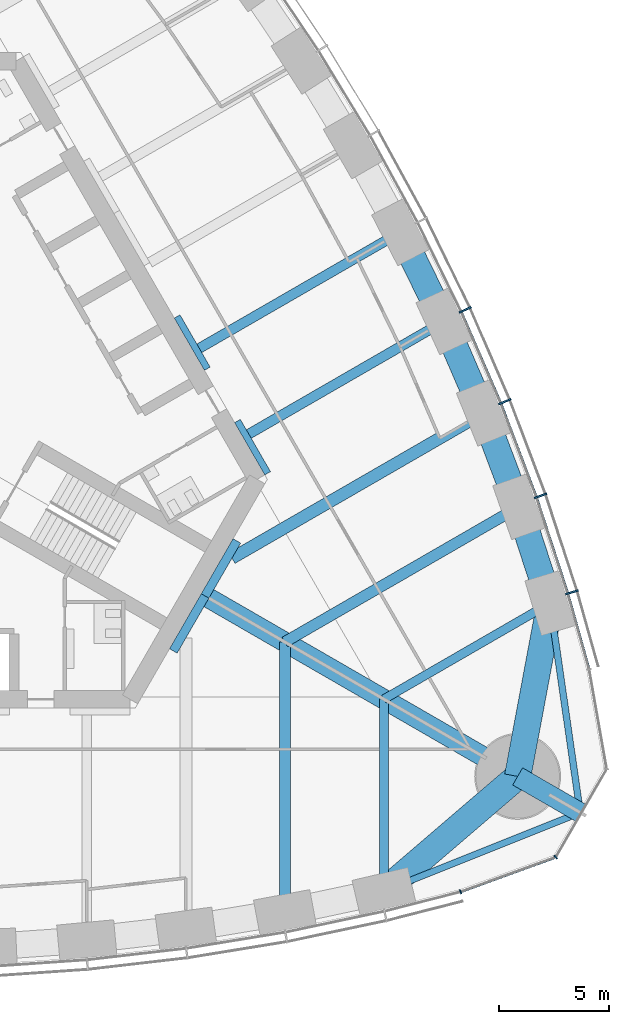
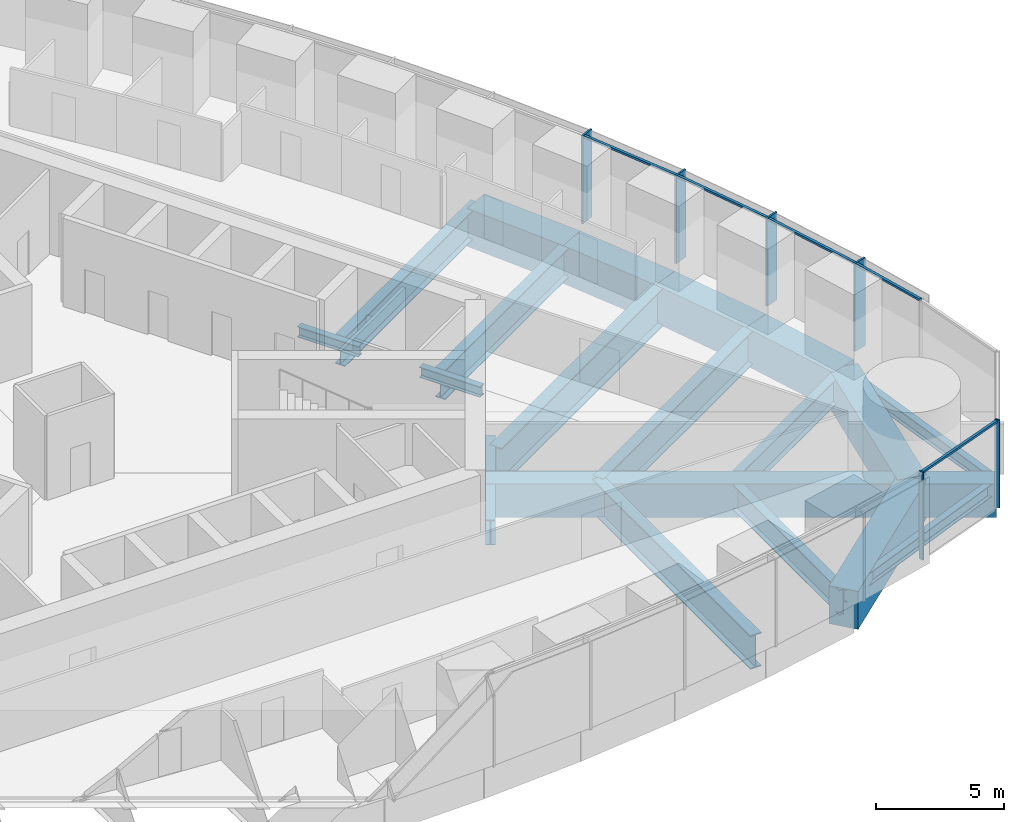
# One storey, part 4 of 19: 21 beams, 11 members, 2 elements without a shape of their own.
"""IFC4 building model written with IfcOpenShell, lengths in metres."""

from ifc_helpers import new_model, si_unit, direction, frame, origin, origin_2d, place, context, subcontext, project, spatial, rectangle, i_section, extrude, material, material_profile, profile_set, type_object, element, aggregate, save


model = new_model("IFC4")

# Units and contexts
model_context = context("Model", 3, precision=1e-05, world=origin(), true_north=direction((0.0, 1.0)))
body_context = subcontext(model_context, "Body", "Model", "MODEL_VIEW")
ifc_project = project(units=[si_unit("LENGTHUNIT", "METRE"), si_unit("AREAUNIT", "SQUARE_METRE"), si_unit("VOLUMEUNIT", "CUBIC_METRE"), si_unit("PLANEANGLEUNIT", "RADIAN"), si_unit("MASSUNIT", "GRAM", prefix="KILO")], contexts=[model_context])

# Site, building, storey
site_placement = place(None, origin())
site = spatial("IfcSite", under=ifc_project, at=site_placement, CompositionType="ELEMENT")
building_placement = place(site_placement, origin())
building = spatial("IfcBuilding", under=site, at=building_placement, Name="Trefoil Bronze Tower", CompositionType="ELEMENT")
storey_placement = place(building_placement, frame((0.0, 0.0, 189.699951171875)))
storey = spatial("IfcBuildingStorey", under=building, at=storey_placement, Name="L43", CompositionType="ELEMENT", Elevation=189.699951171875)

# Curtain wall, members
ifc_material_1 = material(Name="Tinted solar-control glass", Category="glass")
curtain_wall_type_1 = type_object("IfcCurtainWallType", Name="Bronze office curtain wall", PredefinedType="USERDEFINED", material=ifc_material_1)
curtain_wall_1_placement = place(storey_placement, origin())
curtain_wall_1 = element("IfcCurtainWall", 1, at=curtain_wall_1_placement, inside=storey, type_object=curtain_wall_type_1, Name="CW-A L43 F2", ObjectType="CURTAIN WALL", PredefinedType="USERDEFINED")
ifc_material_2 = material(Name="Bronze-finish aluminium", Category="aluminium")
ifc_material_profile_1 = material_profile(ifc_material_2, rectangle(XDim=0.60009765625, YDim=0.080078125, at=origin_2d()), Name="CW-A mullion")
ifc_profile_set_1 = profile_set([ifc_material_profile_1], Name="Bronze-finish aluminium")
member_type_1 = type_object("IfcMemberType", Name="Bronze office curtain wall mullion", PredefinedType="MULLION", material=ifc_profile_set_1)
member_1_placement = place(storey_placement, frame((31.05029296875, -8.132568359375, 0.0), z_axis=(0.0, 0.0, 1.0), x_axis=(-0.95694224323, -0.290278389002, 0.0)))
member_1 = element("IfcMember", 2, at=member_1_placement, type_object=member_type_1, Name="CW-A L43 F2 mullion 2", PredefinedType="MULLION", context=body_context, shape_type="SweptSolid", body=[
    extrude(rectangle(XDim=0.60009765625, YDim=0.080078125, at=origin_2d()), origin(), (0.0, 0.0, 1.0), 4.179931640625),
])
member_2_placement = place(storey_placement, frame((29.619873046875, -3.747314453125, 0.0), z_axis=(0.0, 0.0, 1.0), x_axis=(-0.943180077746, -0.332282020191, 0.0)))
member_2 = element("IfcMember", 3, at=member_2_placement, type_object=member_type_1, Name="CW-A L43 F2 mullion 3", PredefinedType="MULLION", context=body_context, shape_type="SweptSolid", body=[
    extrude(rectangle(XDim=0.60009765625, YDim=0.080078125, at=origin_2d()), origin(), (0.0, 0.0, 1.0), 4.179931640625),
])
member_3_placement = place(storey_placement, frame((27.999755859375, 0.529541015625, 0.0), z_axis=(0.0, 0.0, 1.0), x_axis=(-0.926689348282, -0.375828221106, 0.0)))
member_3 = element("IfcMember", 4, at=member_3_placement, type_object=member_type_1, Name="CW-A L43 F2 mullion 4", PredefinedType="MULLION", context=body_context, shape_type="SweptSolid", body=[
    extrude(rectangle(XDim=0.60009765625, YDim=0.080078125, at=origin_2d()), origin(), (0.0, 0.0, 1.0), 4.179931640625),
])
member_4_placement = place(storey_placement, frame((26.19482421875, 4.699462890625, 0.0), z_axis=(0.0, 0.0, 1.0), x_axis=(-0.908315380354, -0.418285990457, 0.0)))
member_4 = element("IfcMember", 5, at=member_4_placement, type_object=member_type_1, Name="CW-A L43 F2 mullion 5", PredefinedType="MULLION", context=body_context, shape_type="SweptSolid", body=[
    extrude(rectangle(XDim=0.60009765625, YDim=0.080078125, at=origin_2d()), origin(), (0.0, 0.0, 1.0), 4.179931640625),
])
ifc_material_3 = material(Name="Bronze-finish aluminium", Category="aluminium")
ifc_material_profile_2 = material_profile(ifc_material_3, rectangle(XDim=0.1201171875, YDim=0.10009765625, at=origin_2d()), Name="CW-A transom")
ifc_profile_set_2 = profile_set([ifc_material_profile_2], Name="Bronze-finish aluminium")
member_type_2 = type_object("IfcMemberType", Name="Bronze office curtain wall transom", PredefinedType="USERDEFINED", material=ifc_profile_set_2)
member_5_placement = place(storey_placement, frame((31.81201171875, -11.585205078125, 4.130126953125), z_axis=(-0.270284880437, 0.962780392097, 0.0), x_axis=(-0.962780392097, -0.270284880437, 0.0)))
member_5 = element("IfcMember", 6, at=member_5_placement, type_object=member_type_2, Name="CW-A L43 F2 transom 1", ObjectType="TRANSOM", PredefinedType="USERDEFINED", context=body_context, shape_type="SweptSolid", body=[
    extrude(rectangle(XDim=0.1201171875, YDim=0.10009765625, at=origin_2d()), origin(), (0.0, 0.0, 1.0), 3.48388671875),
])
member_6_placement = place(storey_placement, frame((30.845947265625, -8.150634765625, 4.130126953125), z_axis=(-0.310127806788, 0.950694874004, 0.0), x_axis=(-0.950694874004, -0.310127806788, 0.0)))
member_6 = element("IfcMember", 7, at=member_6_placement, type_object=member_type_2, Name="CW-A L43 F2 transom 2", ObjectType="TRANSOM", PredefinedType="USERDEFINED", context=body_context, shape_type="SweptSolid", body=[
    extrude(rectangle(XDim=0.1201171875, YDim=0.10009765625, at=origin_2d()), origin(), (0.0, 0.0, 1.0), 4.51953125),
])
member_7_placement = place(storey_placement, frame((29.416259765625, -3.774169921875, 4.130126953125), z_axis=(-0.354263170896, 0.935145767112, 0.0), x_axis=(-0.935145767112, -0.354263170896, 0.0)))
member_7 = element("IfcMember", 8, at=member_7_placement, type_object=member_type_2, Name="CW-A L43 F2 transom 3", ObjectType="TRANSOM", PredefinedType="USERDEFINED", context=body_context, shape_type="SweptSolid", body=[
    extrude(rectangle(XDim=0.1201171875, YDim=0.10009765625, at=origin_2d()), origin(), (0.0, 0.0, 1.0), 4.4794921875),
])
member_8_placement = place(storey_placement, frame((27.797607421875, 0.4931640625, 4.130126953125), z_axis=(-0.397220936772, 0.917723012346, 0.0), x_axis=(-0.917723012346, -0.397220936772, 0.0)))
member_8 = element("IfcMember", 9, at=member_8_placement, type_object=member_type_2, Name="CW-A L43 F2 transom 4", ObjectType="TRANSOM", PredefinedType="USERDEFINED", context=body_context, shape_type="SweptSolid", body=[
    extrude(rectangle(XDim=0.1201171875, YDim=0.10009765625, at=origin_2d()), origin(), (0.0, 0.0, 1.0), 4.449951171875),
])
aggregate(curtain_wall_1, [member_1, member_2, member_3, member_4, member_5, member_6, member_7, member_8])

ifc_material_4 = material(Name="Tinted solar-control glass", Category="glass")
curtain_wall_type_2 = type_object("IfcCurtainWallType", Name="Bronze rounded corner curtain wall", PredefinedType="USERDEFINED", material=ifc_material_4)
curtain_wall_2_placement = place(storey_placement, origin())
curtain_wall_2 = element("IfcCurtainWall", 10, at=curtain_wall_2_placement, inside=storey, type_object=curtain_wall_type_2, Name="CW-B L43 K1", ObjectType="CURTAIN WALL", PredefinedType="USERDEFINED")
ifc_material_5 = material(Name="Bronze-finish aluminium", Category="aluminium")
ifc_material_profile_3 = material_profile(ifc_material_5, rectangle(XDim=0.199951171875, YDim=0.06005859375, at=origin_2d()), Name="CW-B mullion")
ifc_profile_set_3 = profile_set([ifc_material_profile_3], Name="Bronze-finish aluminium")
member_type_3 = type_object("IfcMemberType", Name="Bronze rounded corner curtain wall mullion", PredefinedType="MULLION", material=ifc_profile_set_3)
member_9_placement = place(storey_placement, frame((25.9873046875, -21.74462890625, 0.0), z_axis=(0.0, 0.0, 1.0), x_axis=(-0.342020143326, 0.939692620786, 0.0)))
member_9 = element("IfcMember", 11, at=member_9_placement, type_object=member_type_3, Name="CW-B L43 K1 mullion 1", PredefinedType="MULLION", context=body_context, shape_type="SweptSolid", body=[
    extrude(rectangle(XDim=0.199951171875, YDim=0.06005859375, at=origin_2d()), origin(), (0.0, 0.0, 1.0), 4.179931640625),
])
member_10_placement = place(storey_placement, frame((30.302490234375, -20.16748046875, 0.0), z_axis=(0.0, 0.0, 1.0), x_axis=(-0.642787609687, 0.766044443119, 0.0)))
member_10 = element("IfcMember", 12, at=member_10_placement, type_object=member_type_3, Name="CW-B L43 K1 mullion 2", PredefinedType="MULLION", context=body_context, shape_type="SweptSolid", body=[
    extrude(rectangle(XDim=0.199951171875, YDim=0.06005859375, at=origin_2d()), origin(), (0.0, 0.0, 1.0), 4.179931640625),
])
ifc_material_6 = material(Name="Bronze-finish aluminium", Category="aluminium")
ifc_material_profile_4 = material_profile(ifc_material_6, rectangle(XDim=0.1201171875, YDim=0.10009765625, at=origin_2d()), Name="CW-B transom")
ifc_profile_set_4 = profile_set([ifc_material_profile_4], Name="Bronze-finish aluminium")
member_type_4 = type_object("IfcMemberType", Name="Bronze rounded corner curtain wall transom", PredefinedType="USERDEFINED", material=ifc_profile_set_4)
member_11_placement = place(storey_placement, frame((26.015380859375, -21.734375, 4.130126953125), z_axis=(0.939680910753, 0.342052314664, 0.0), x_axis=(-0.342052314664, 0.939680910753, 0.0)))
member_11 = element("IfcMember", 13, at=member_11_placement, type_object=member_type_4, Name="CW-B L43 K1 transom 1", ObjectType="TRANSOM", PredefinedType="USERDEFINED", context=body_context, shape_type="SweptSolid", body=[
    extrude(rectangle(XDim=0.1201171875, YDim=0.10009765625, at=origin_2d()), origin(), (0.0, 0.0, 1.0), 4.500244140625),
])
aggregate(curtain_wall_2, [member_9, member_10, member_11])

# Beams
ifc_material_7 = material(Name="Steel C355", Category="steel")
ifc_material_profile_5 = material_profile(ifc_material_7, i_section(OverallWidth=0.300048828125, OverallDepth=0.5, WebThickness=0.014404296875, FlangeThickness=0.028076171875, FilletRadius=0.027099609375, at=origin_2d()), Name="HEB 500")
ifc_profile_set_5 = profile_set([ifc_material_profile_5], Name="Steel C355")
beam_type_1 = type_object("IfcBeamType", Name="Core seat beam HEB 500", PredefinedType="BEAM", material=ifc_profile_set_5)
for number, where, z_axis, x_axis, name in (
    (14, (17.219482421875, -2.72509765625, -0.449951171875), (-0.500035825175, 0.866004719122, 0.0), (-0.866004719122, -0.500035825175, 0.0), "Core seat beam F2/-2 L43"),
    (15, (14.47705078125, 2.02490234375, -0.449951171875), (-0.499969057507, 0.866043267704, 0.0), (-0.866043267704, -0.499969057507, 0.0), "Core seat beam F2/-1 L43"),
):
    element("IfcBeam", number, at=place(storey_placement, frame(where, z_axis=z_axis, x_axis=x_axis)), inside=storey, type_object=beam_type_1, Name=name, PredefinedType="BEAM", context=body_context, shape_type="SweptSolid", body=[
        extrude(i_section(OverallWidth=0.300048828125, OverallDepth=0.5, WebThickness=0.014404296875, FlangeThickness=0.028076171875, FilletRadius=0.027099609375, at=origin_2d()), origin(), (0.0, 0.0, 1.0), 2.742431640625),
    ])
ifc_material_8 = material(Name="Steel C355", Category="steel")
ifc_material_profile_6 = material_profile(ifc_material_8, i_section(OverallWidth=0.39990234375, OverallDepth=1.199951171875, WebThickness=0.02001953125, FlangeThickness=0.0400390625, FilletRadius=0.010009765625, at=origin_2d()), Name="WPG 1200")
ifc_profile_set_6 = profile_set([ifc_material_profile_6], Name="Steel C355")
beam_type_2 = type_object("IfcBeamType", Name="Core seat beam WPG 1200", PredefinedType="BEAM", material=ifc_profile_set_6)
for number, where, z_axis, x_axis, name in (
    (16, (12.9326171875, -10.800048828125, -0.800048828125), (0.499995765644, 0.866027848477, 0.0), (-0.866027848477, 0.499995765644, 0.0), "Core seat beam F1/+3 L43"),
    (17, (14.3759765625, -8.300048828125, -0.800048828125), (0.499995765644, 0.866027848477, 0.0), (-0.866027848477, 0.499995765644, 0.0), "Core seat beam F2/-3 L43"),
):
    element("IfcBeam", number, at=place(storey_placement, frame(where, z_axis=z_axis, x_axis=x_axis)), inside=storey, type_object=beam_type_2, Name=name, PredefinedType="BEAM", context=body_context, shape_type="SweptSolid", body=[
        extrude(i_section(OverallWidth=0.39990234375, OverallDepth=1.199951171875, WebThickness=0.02001953125, FlangeThickness=0.0400390625, FilletRadius=0.010009765625, at=origin_2d()), origin(), (0.0, 0.0, 1.0), 2.88671875),
    ])
ifc_material_9 = material(Name="Concrete B80", Category="concrete")
ifc_material_profile_7 = material_profile(ifc_material_9, rectangle(XDim=0.89990234375, YDim=1.60009765625, at=origin_2d()), Name="RC 900x1600")
ifc_profile_set_7 = profile_set([ifc_material_profile_7], Name="Concrete B80")
beam_type_3 = type_object("IfcBeamType", Name="Corner cantilever RC 900x1600", PredefinedType="BEAM", material=ifc_profile_set_7)
beam_1_placement = place(storey_placement, frame((28.578857421875, -16.5, -1.0), z_axis=(0.866016004958, -0.500016278891, 0.0), x_axis=(0.500016278891, 0.866016004958, 0.0)))
element("IfcBeam", 18, at=beam_1_placement, inside=storey, type_object=beam_type_3, Name="Corner cantilever K1 L43", PredefinedType="BEAM", context=body_context, shape_type="SweptSolid", body=[
    extrude(rectangle(XDim=0.89990234375, YDim=1.60009765625, at=origin_2d()), origin(), (0.0, 0.0, 1.0), 3.28466796875),
])
ifc_material_10 = material(Name="Steel C355", Category="steel")
ifc_material_profile_8 = material_profile(ifc_material_10, i_section(OverallWidth=0.300048828125, OverallDepth=0.60009765625, WebThickness=0.015380859375, FlangeThickness=0.030029296875, FilletRadius=0.027099609375, at=origin_2d()), Name="HEB 600")
ifc_profile_set_8 = profile_set([ifc_material_profile_8], Name="Steel C355")
beam_type_4 = type_object("IfcBeamType", Name="Corner edge beam HEB 600", PredefinedType="BEAM", material=ifc_profile_set_8)
for number, where, z_axis, x_axis, name in (
    (19, (22.5, -21.71044921875, -0.5), (0.92852048463, 0.371281173266, 0.0), (-0.371281173266, 0.92852048463, 0.0), "Corner edge beam F1A L43"),
    (20, (30.052001953125, -8.63037109375, -0.5), (0.142694489722, -0.989766781925, 0.0), (0.989766781925, 0.142694489722, 0.0), "Corner edge beam F2B L43"),
):
    element("IfcBeam", number, at=place(storey_placement, frame(where, z_axis=z_axis, x_axis=x_axis)), inside=storey, type_object=beam_type_4, Name=name, PredefinedType="BEAM", context=body_context, shape_type="SweptSolid", body=[
        extrude(i_section(OverallWidth=0.300048828125, OverallDepth=0.60009765625, WebThickness=0.015380859375, FlangeThickness=0.030029296875, FilletRadius=0.027099609375, at=origin_2d()), origin(), (0.0, 0.0, 1.0), 9.6103515625),
    ])
ifc_material_11 = material(Name="Concrete B80", Category="concrete")
ifc_material_profile_9 = material_profile(ifc_material_11, rectangle(XDim=0.89990234375, YDim=1.60009765625, at=origin_2d()), Name="RC 900x1600")
ifc_profile_set_9 = profile_set([ifc_material_profile_9], Name="Concrete B80")
beam_type_5 = type_object("IfcBeamType", Name="Corner girder RC 900x1600", PredefinedType="BEAM", material=ifc_profile_set_9)
beam_2_placement = place(storey_placement, frame((14.202880859375, -8.199951171875, -1.0), z_axis=(0.866023450265, -0.500003383579, 0.0), x_axis=(0.500003383579, 0.866023450265, 0.0)))
element("IfcBeam", 21, at=beam_2_placement, inside=storey, type_object=beam_type_5, Name="Corner girder K1 L43", PredefinedType="BEAM", context=body_context, shape_type="SweptSolid", body=[
    extrude(rectangle(XDim=0.89990234375, YDim=1.60009765625, at=origin_2d()), origin(), (0.0, 0.0, 1.0), 16.60009765625),
])
ifc_material_12 = material(Name="Concrete B80", Category="concrete")
ifc_material_profile_10 = material_profile(ifc_material_12, rectangle(XDim=1.199951171875, YDim=1.800048828125, at=origin_2d()), Name="RC 1200x1800")
ifc_profile_set_10 = profile_set([ifc_material_profile_10], Name="Concrete B80")
beam_type_6 = type_object("IfcBeamType", Name="End spandrel beam RC 1200x1800", PredefinedType="SPANDREL", material=ifc_profile_set_10)
for number, where, z_axis, x_axis, name in (
    (22, (22.5, -21.71044921875, -1.099853515625), (0.759256602365, 0.650791373456, 0.0), (-0.650791373456, 0.759256602365, 0.0), "Spandrel F1.12 L43"),
    (23, (28.578857421875, -16.5, -1.099853515625), (0.18399763073, 0.982926686933, 0.0), (-0.982926686933, 0.18399763073, 0.0), "Spandrel F2.1 L43"),
):
    element("IfcBeam", number, at=place(storey_placement, frame(where, z_axis=z_axis, x_axis=x_axis)), inside=storey, type_object=beam_type_6, Name=name, PredefinedType="SPANDREL", context=body_context, shape_type="SweptSolid", body=[
        extrude(rectangle(XDim=1.199951171875, YDim=1.800048828125, at=origin_2d()), origin(), (0.0, 0.0, 1.0), 8.00634765625),
    ])
ifc_material_13 = material(Name="Steel C355", Category="steel")
ifc_material_profile_11 = material_profile(ifc_material_13, i_section(OverallWidth=0.39990234375, OverallDepth=1.199951171875, WebThickness=0.02001953125, FlangeThickness=0.0400390625, FilletRadius=0.010009765625, at=origin_2d()), Name="WPG 1200")
ifc_profile_set_11 = profile_set([ifc_material_profile_11], Name="Steel C355")
beam_type_7 = type_object("IfcBeamType", Name="Floor beam WPG 1200", PredefinedType="BEAM", material=ifc_profile_set_11)
beam_3_placement = place(storey_placement, frame((22.5, -21.71044921875, -0.800048828125), z_axis=(0.0, 1.0, 0.0), x_axis=(-1.0, 0.0, 0.0)))
element("IfcBeam", 24, at=beam_3_placement, inside=storey, type_object=beam_type_7, Name="Floor beam F1/+5 L43", PredefinedType="BEAM", context=body_context, shape_type="SweptSolid", body=[
    extrude(i_section(OverallWidth=0.39990234375, OverallDepth=1.199951171875, WebThickness=0.02001953125, FlangeThickness=0.0400390625, FilletRadius=0.010009765625, at=origin_2d()), origin(), (0.0, 0.0, 1.0), 8.719970703125),
])
beam_4_placement = place(storey_placement, frame((30.052001953125, -8.63037109375, -0.800048828125), z_axis=(-0.866027535932, -0.499996306993, 0.0), x_axis=(0.499996306993, -0.866027535932, 0.0)))
element("IfcBeam", 25, at=beam_4_placement, inside=storey, type_object=beam_type_7, Name="Floor beam F2/-5 L43", PredefinedType="BEAM", context=body_context, shape_type="SweptSolid", body=[
    extrude(i_section(OverallWidth=0.39990234375, OverallDepth=1.199951171875, WebThickness=0.02001953125, FlangeThickness=0.0400390625, FilletRadius=0.010009765625, at=origin_2d()), origin(), (0.0, 0.0, 1.0), 8.72021484375),
])
ifc_material_14 = material(Name="Steel C355", Category="steel")
ifc_material_profile_12 = material_profile(ifc_material_14, i_section(OverallWidth=0.449951171875, OverallDepth=1.39990234375, WebThickness=0.02294921875, FlangeThickness=0.044921875, FilletRadius=0.011962890625, at=origin_2d()), Name="WPG 1400")
ifc_profile_set_12 = profile_set([ifc_material_profile_12], Name="Steel C355")
beam_type_8 = type_object("IfcBeamType", Name="Floor beam WPG 1400", PredefinedType="BEAM", material=ifc_profile_set_12)
beam_5_placement = place(storey_placement, frame((25.2265625, 4.17236328125, -0.89990234375), z_axis=(-0.866017525653, -0.500013645076, 0.0), x_axis=(0.500013645076, -0.866017525653, 0.0)))
element("IfcBeam", 26, at=beam_5_placement, inside=storey, type_object=beam_type_8, Name="Floor beam F2/-2 L43", PredefinedType="BEAM", context=body_context, shape_type="SweptSolid", body=[
    extrude(i_section(OverallWidth=0.449951171875, OverallDepth=1.39990234375, WebThickness=0.02294921875, FlangeThickness=0.044921875, FilletRadius=0.011962890625, at=origin_2d()), origin(), (0.0, 0.0, 1.0), 10.233154296875),
])
beam_6_placement = place(storey_placement, frame((23.248046875, 8.22607421875, -0.89990234375), z_axis=(-0.866027918957, -0.499995643569, 0.0), x_axis=(0.499995643569, -0.866027918957, 0.0)))
element("IfcBeam", 27, at=beam_6_placement, inside=storey, type_object=beam_type_8, Name="Floor beam F2/-1 L43", PredefinedType="BEAM", context=body_context, shape_type="SweptSolid", body=[
    extrude(i_section(OverallWidth=0.449951171875, OverallDepth=1.39990234375, WebThickness=0.02294921875, FlangeThickness=0.044921875, FilletRadius=0.011962890625, at=origin_2d()), origin(), (0.0, 0.0, 1.0), 10.54638671875),
])
ifc_material_15 = material(Name="Steel C355", Category="steel")
ifc_material_profile_13 = material_profile(ifc_material_15, i_section(OverallWidth=0.5, OverallDepth=1.60009765625, WebThickness=0.02587890625, FlangeThickness=0.050048828125, FilletRadius=0.011962890625, at=origin_2d()), Name="WPG 1600")
ifc_profile_set_13 = profile_set([ifc_material_profile_13], Name="Steel C355")
beam_type_9 = type_object("IfcBeamType", Name="Floor beam WPG 1600", PredefinedType="BEAM", material=ifc_profile_set_13)
beam_7_placement = place(storey_placement, frame((18.0, -22.6689453125, -1.0), z_axis=(0.0, 1.0, 0.0), x_axis=(-1.0, 0.0, 0.0)))
element("IfcBeam", 28, at=beam_7_placement, inside=storey, type_object=beam_type_9, Name="Floor beam F1/+4 L43", PredefinedType="BEAM", context=body_context, shape_type="SweptSolid", body=[
    extrude(i_section(OverallWidth=0.5, OverallDepth=1.60009765625, WebThickness=0.02587890625, FlangeThickness=0.050048828125, FilletRadius=0.011962890625, at=origin_2d()), origin(), (0.0, 0.0, 1.0), 12.276611328125),
])
beam_8_placement = place(storey_placement, frame((28.632080078125, -4.25390625, -1.0), z_axis=(-0.866025635187, -0.499999599199, 0.0), x_axis=(0.499999599199, -0.866025635187, 0.0)))
element("IfcBeam", 29, at=beam_8_placement, inside=storey, type_object=beam_type_9, Name="Floor beam F2/-4 L43", PredefinedType="BEAM", context=body_context, shape_type="SweptSolid", body=[
    extrude(i_section(OverallWidth=0.5, OverallDepth=1.60009765625, WebThickness=0.02587890625, FlangeThickness=0.050048828125, FilletRadius=0.011962890625, at=origin_2d()), origin(), (0.0, 0.0, 1.0), 12.27685546875),
])
ifc_material_16 = material(Name="Steel C355", Category="steel")
ifc_material_profile_14 = material_profile(ifc_material_16, i_section(OverallWidth=0.550048828125, OverallDepth=1.800048828125, WebThickness=0.029052734375, FlangeThickness=0.054931640625, FilletRadius=0.013916015625, at=origin_2d()), Name="WPG 1800")
ifc_profile_set_14 = profile_set([ifc_material_profile_14], Name="Steel C355")
beam_type_10 = type_object("IfcBeamType", Name="Floor beam WPG 1800", PredefinedType="BEAM", material=ifc_profile_set_14)
beam_9_placement = place(storey_placement, frame((27.022216796875, 0.012939453125, -1.099853515625), z_axis=(-0.866020385251, -0.500008692254, 0.0), x_axis=(0.500008692254, -0.866020385251, 0.0)))
element("IfcBeam", 30, at=beam_9_placement, inside=storey, type_object=beam_type_10, Name="Floor beam F2/-3 L43", PredefinedType="BEAM", context=body_context, shape_type="SweptSolid", body=[
    extrude(i_section(OverallWidth=0.550048828125, OverallDepth=1.800048828125, WebThickness=0.029052734375, FlangeThickness=0.054931640625, FilletRadius=0.013916015625, at=origin_2d()), origin(), (0.0, 0.0, 1.0), 13.191162109375),
])
ifc_material_17 = material(Name="Concrete B80", Category="concrete")
ifc_material_profile_15 = material_profile(ifc_material_17, rectangle(XDim=1.199951171875, YDim=1.800048828125, at=origin_2d()), Name="RC 1200x1800")
ifc_profile_set_15 = profile_set([ifc_material_profile_15], Name="Concrete B80")
beam_type_11 = type_object("IfcBeamType", Name="Spandrel beam RC 1200x1800", PredefinedType="SPANDREL", material=ifc_profile_set_15)
beam_10_placement = place(storey_placement, frame((30.052001953125, -8.63037109375, -1.099853515625), z_axis=(-0.308608505504, 0.951189145402, 0.0), x_axis=(-0.951189145402, -0.308608505504, 0.0)))
element("IfcBeam", 31, at=beam_10_placement, inside=storey, type_object=beam_type_11, Name="Spandrel F2.2 L43", PredefinedType="SPANDREL", context=body_context, shape_type="SweptSolid", body=[
    extrude(rectangle(XDim=1.199951171875, YDim=1.800048828125, at=origin_2d()), origin(), (0.0, 0.0, 1.0), 4.60107421875),
])
beam_11_placement = place(storey_placement, frame((28.632080078125, -4.25390625, -1.099853515625), z_axis=(-0.353005969632, 0.935621069346, 0.0), x_axis=(-0.935621069346, -0.353005969632, 0.0)))
element("IfcBeam", 32, at=beam_11_placement, inside=storey, type_object=beam_type_11, Name="Spandrel F2.3 L43", PredefinedType="SPANDREL", context=body_context, shape_type="SweptSolid", body=[
    extrude(rectangle(XDim=1.199951171875, YDim=1.800048828125, at=origin_2d()), origin(), (0.0, 0.0, 1.0), 4.560546875),
])
beam_12_placement = place(storey_placement, frame((27.022216796875, 0.012939453125, -1.099853515625), z_axis=(-0.396350337164, 0.918099346602, 0.0), x_axis=(-0.918099346602, -0.396350337164, 0.0)))
element("IfcBeam", 33, at=beam_12_placement, inside=storey, type_object=beam_type_11, Name="Spandrel F2.4 L43", PredefinedType="SPANDREL", context=body_context, shape_type="SweptSolid", body=[
    extrude(rectangle(XDim=1.199951171875, YDim=1.800048828125, at=origin_2d()), origin(), (0.0, 0.0, 1.0), 4.530517578125),
])
beam_13_placement = place(storey_placement, frame((25.2265625, 4.17236328125, -1.099853515625), z_axis=(-0.438619830351, 0.898672712629, 0.0), x_axis=(-0.898672712629, -0.438619830351, 0.0)))
element("IfcBeam", 34, at=beam_13_placement, inside=storey, type_object=beam_type_11, Name="Spandrel F2.5 L43", PredefinedType="SPANDREL", context=body_context, shape_type="SweptSolid", body=[
    extrude(rectangle(XDim=1.199951171875, YDim=1.800048828125, at=origin_2d()), origin(), (0.0, 0.0, 1.0), 4.5107421875),
])

save(model, "model.ifc")
